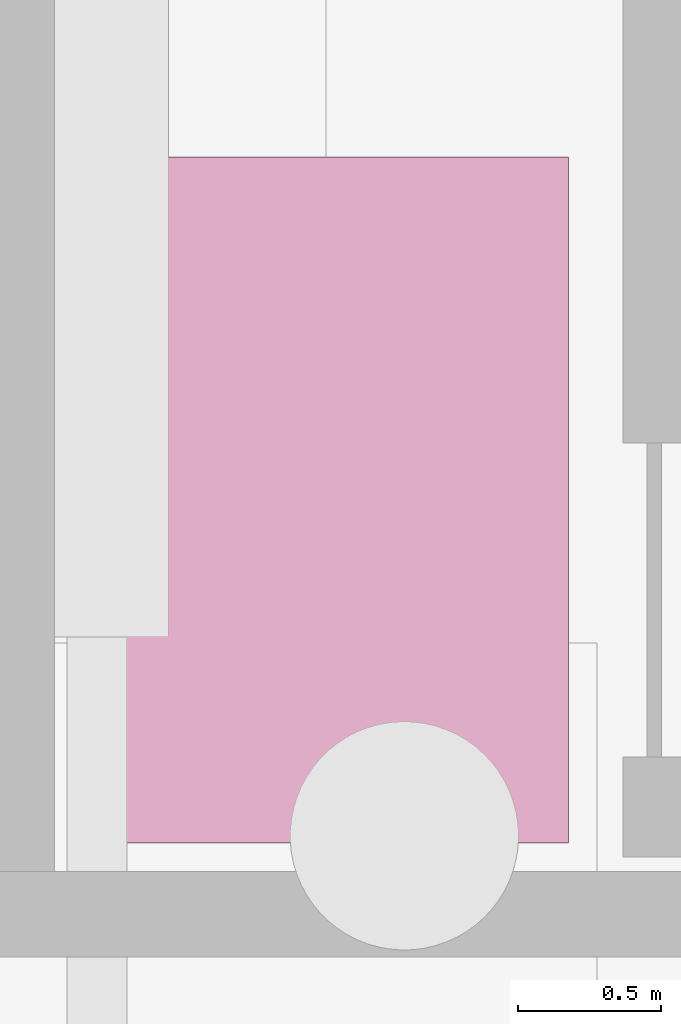
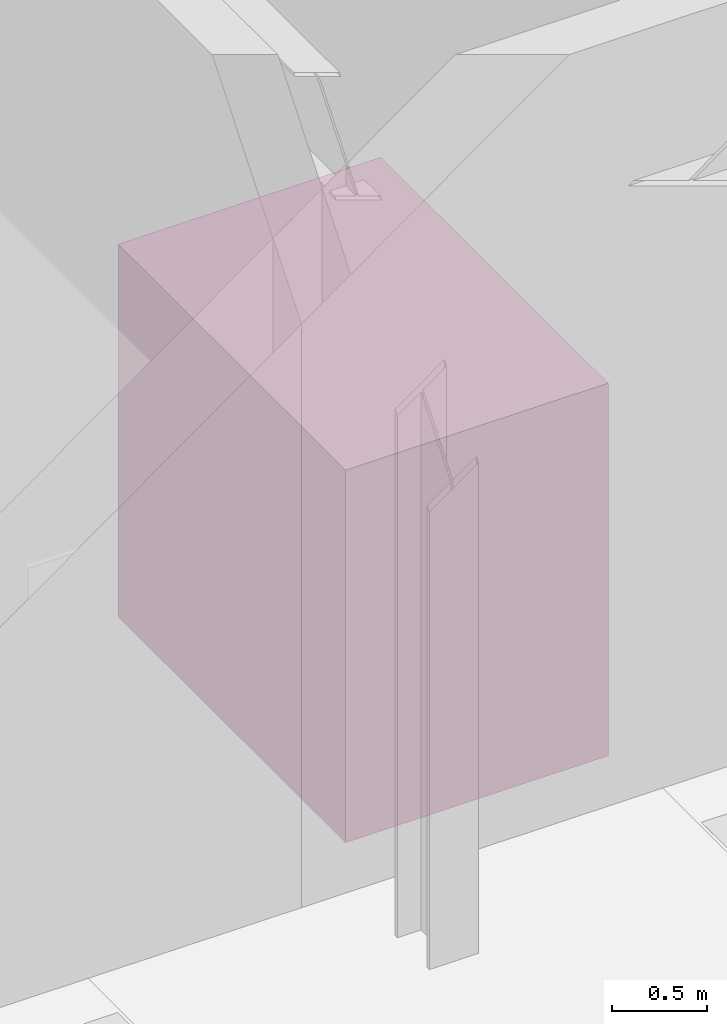
# One storey, part 109 of 109: 1 transport element.
"""IFC4 building model written with IfcOpenShell, lengths in metres."""

from ifc_helpers import new_model, si_unit, direction, frame, origin, origin_2d, place, context, subcontext, project, spatial, rectangle, extrude, material, type_object, element, save


model = new_model("IFC4")

# Units and contexts
model_context = context("Model", 3, precision=1e-05, world=origin(), true_north=direction((0.0, 1.0)))
body_context = subcontext(model_context, "Body", "Model", "MODEL_VIEW")
ifc_project = project(units=[si_unit("LENGTHUNIT", "METRE"), si_unit("AREAUNIT", "SQUARE_METRE"), si_unit("VOLUMEUNIT", "CUBIC_METRE"), si_unit("PLANEANGLEUNIT", "RADIAN"), si_unit("MASSUNIT", "GRAM", prefix="KILO")], contexts=[model_context])

# Site, building, storey
site_placement = place(None, origin())
site = spatial("IfcSite", under=ifc_project, at=site_placement, CompositionType="ELEMENT")
building_placement = place(site_placement, origin())
building = spatial("IfcBuilding", under=site, at=building_placement, Name="Montecoro Central Library", CompositionType="ELEMENT")
storey_placement = place(building_placement, origin())
storey = spatial("IfcBuildingStorey", under=building, at=storey_placement, Name="L00", CompositionType="ELEMENT", Elevation=0.0)

# Transport element
ifc_material = material(Name="Brushed stainless steel lift car", Category="steel")
transport_element_type = type_object("IfcTransportElementType", Name="LFT-PASS-160", PredefinedType="ELEVATOR", material=ifc_material)
transport_element_placement = place(storey_placement, frame((13.449951171875, 14.85009765625, 0.0), z_axis=(0.0, 0.0, 1.0), x_axis=(1.0, 0.0, 0.0)))
element("IfcTransportElement", 1, at=transport_element_placement, inside=storey, type_object=transport_element_type, Name="Lift PL-04", PredefinedType="ELEVATOR", context=body_context, shape_type="SweptSolid", body=[
    extrude(rectangle(XDim=1.60009765625, YDim=2.39990234375, at=origin_2d()), origin(), (0.0, 0.0, 1.0), 2.39990234375),
])

save(model, "model.ifc")
